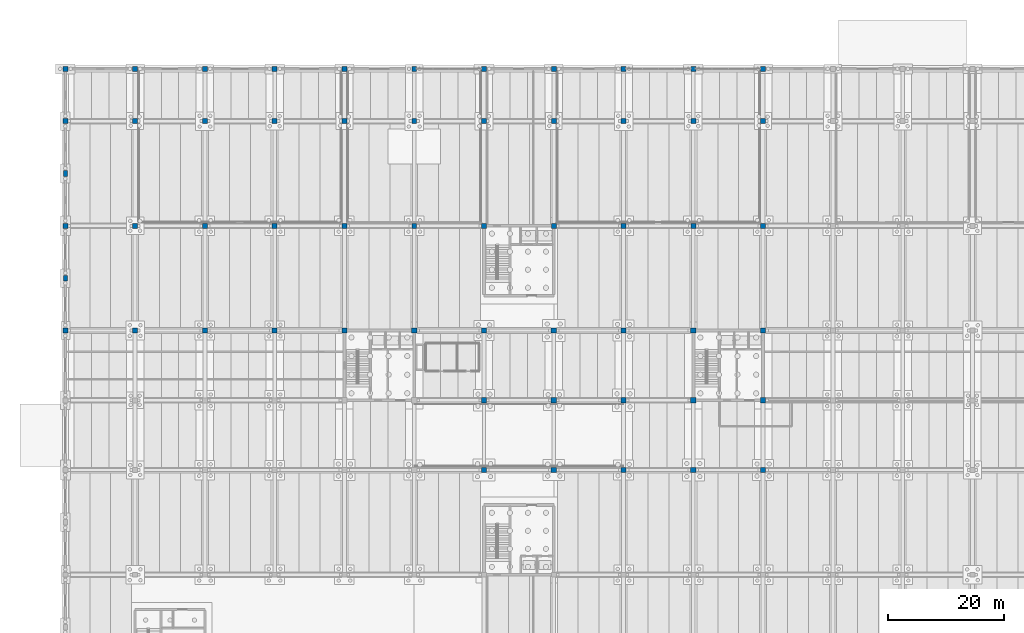
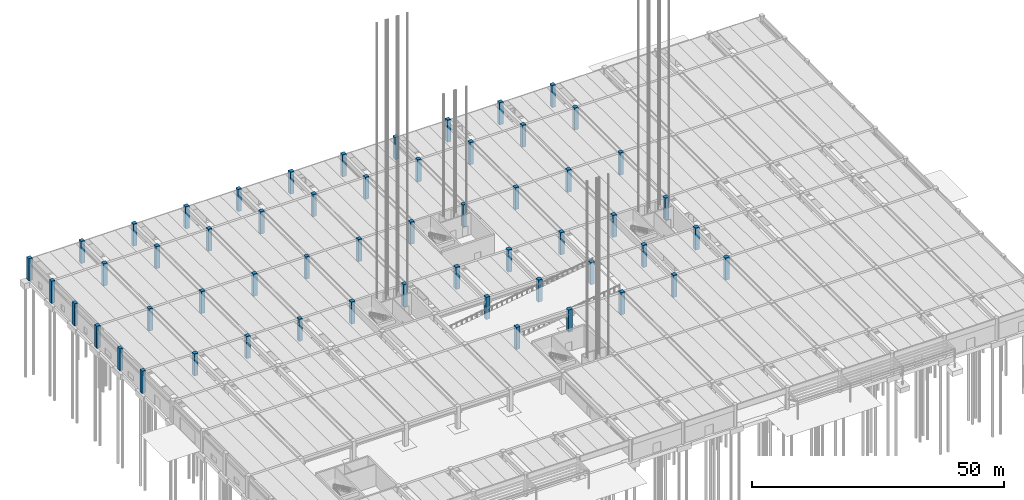
# One storey, part 10 of 59: 56 columns.
"""IFC4 building model written with IfcOpenShell, lengths in metres."""

from ifc_helpers import new_model, si_unit, direction, frame, origin, origin_2d, place, context, subcontext, project, spatial, rectangle, extrude, material, material_profile, profile_set, type_object, element, save


model = new_model("IFC4")

# Units and contexts
model_context = context("Model", 3, precision=1e-05, world=origin(), true_north=direction((0.0, 1.0)))
body_context = subcontext(model_context, "Body", "Model", "MODEL_VIEW")
ifc_project = project(units=[si_unit("LENGTHUNIT", "METRE"), si_unit("AREAUNIT", "SQUARE_METRE"), si_unit("VOLUMEUNIT", "CUBIC_METRE"), si_unit("PLANEANGLEUNIT", "RADIAN"), si_unit("MASSUNIT", "GRAM", prefix="KILO")], contexts=[model_context])

# Site, building, storey
site_placement = place(None, origin())
site = spatial("IfcSite", under=ifc_project, at=site_placement, CompositionType="ELEMENT")
building_placement = place(site_placement, origin())
building = spatial("IfcBuilding", under=site, at=building_placement, Name="Girod Span Mobility Hub", CompositionType="ELEMENT")
storey_placement = place(building_placement, origin())
storey = spatial("IfcBuildingStorey", under=building, at=storey_placement, Name="L00", CompositionType="ELEMENT", Elevation=0.0)

# Columns
ifc_material_1 = material(Name="Concrete C40/50", Category="concrete")
ifc_material_profile_1 = material_profile(ifc_material_1, rectangle(XDim=0.85009765625, YDim=0.85009765625, at=origin_2d()), Name="PC-COL-850X850")
ifc_profile_set_1 = profile_set([ifc_material_profile_1], Name="Concrete C40/50")
column_type_1 = type_object("IfcColumnType", Name="COL-PC-850X850", PredefinedType="COLUMN", material=ifc_profile_set_1)
for number, where, z_axis, x_axis, name in (
    (1, (0.0, 69.0, 0.0), (0.0, 0.0, 1.0), (1.0, 0.0, 0.0), "Column 1F L00"),
    (2, (0.0, 87.0, 0.0), (0.0, 0.0, 1.0), (1.0, 0.0, 0.0), "Column 1G L00"),
    (3, (0.0, 105.0, 0.0), (0.0, 0.0, 1.0), (1.0, 0.0, 0.0), "Column 1H L00"),
    (4, (0.0, 114.0, 0.0), (0.0, 0.0, 1.0), (1.0, 0.0, 0.0), "Column 1J L00"),
    (5, (12.0, 69.0, 0.0), (0.0, 0.0, 1.0), (1.0, 0.0, 0.0), "Column 2F L00"),
    (6, (12.0, 87.0, 0.0), (0.0, 0.0, 1.0), (1.0, 0.0, 0.0), "Column 2G L00"),
    (7, (12.0, 105.0, 0.0), (0.0, 0.0, 1.0), (1.0, 0.0, 0.0), "Column 2H L00"),
    (8, (12.0, 114.0, 0.0), (0.0, 0.0, 1.0), (1.0, 0.0, 0.0), "Column 2J L00"),
    (9, (24.0, 69.0, 0.0), (0.0, 0.0, 1.0), (1.0, 0.0, 0.0), "Column 3F L00"),
    (10, (24.0, 87.0, 0.0), (0.0, 0.0, 1.0), (1.0, 0.0, 0.0), "Column 3G L00"),
    (11, (24.0, 105.0, 0.0), (0.0, 0.0, 1.0), (1.0, 0.0, 0.0), "Column 3H L00"),
    (12, (24.0, 114.0, 0.0), (0.0, 0.0, 1.0), (1.0, 0.0, 0.0), "Column 3J L00"),
    (13, (36.0, 69.0, 0.0), (0.0, 0.0, 1.0), (1.0, 0.0, 0.0), "Column 4F L00"),
    (14, (36.0, 87.0, 0.0), (0.0, 0.0, 1.0), (1.0, 0.0, 0.0), "Column 4G L00"),
    (15, (36.0, 105.0, 0.0), (0.0, 0.0, 1.0), (1.0, 0.0, 0.0), "Column 4H L00"),
    (16, (36.0, 114.0, 0.0), (0.0, 0.0, 1.0), (1.0, 0.0, 0.0), "Column 4J L00"),
    (17, (48.0, 87.0, 0.0), (0.0, 0.0, 1.0), (1.0, 0.0, 0.0), "Column 5G L00"),
    (18, (48.0, 105.0, 0.0), (0.0, 0.0, 1.0), (1.0, 0.0, 0.0), "Column 5H L00"),
    (19, (48.0, 114.0, 0.0), (0.0, 0.0, 1.0), (1.0, 0.0, 0.0), "Column 5J L00"),
    (20, (60.0, 87.0, 0.0), (0.0, 0.0, 1.0), (1.0, 0.0, 0.0), "Column 6G L00"),
    (21, (60.0, 105.0, 0.0), (0.0, 0.0, 1.0), (1.0, 0.0, 0.0), "Column 6H L00"),
    (22, (60.0, 114.0, 0.0), (0.0, 0.0, 1.0), (1.0, 0.0, 0.0), "Column 6J L00"),
    (23, (72.0, 87.0, 0.0), (0.0, 0.0, 1.0), (1.0, 0.0, 0.0), "Column 7G L00"),
    (24, (72.0, 105.0, 0.0), (0.0, 0.0, 1.0), (1.0, 0.0, 0.0), "Column 7H L00"),
    (25, (72.0, 114.0, 0.0), (0.0, 0.0, 1.0), (1.0, 0.0, 0.0), "Column 7J L00"),
    (26, (84.0, 87.0, 0.0), (0.0, 0.0, 1.0), (1.0, 0.0, 0.0), "Column 8G L00"),
    (27, (84.0, 105.0, 0.0), (0.0, 0.0, 1.0), (1.0, 0.0, 0.0), "Column 8H L00"),
    (28, (84.0, 114.0, 0.0), (0.0, 0.0, 1.0), (1.0, 0.0, 0.0), "Column 8J L00"),
    (29, (96.0, 87.0, 0.0), (0.0, 0.0, 1.0), (1.0, 0.0, 0.0), "Column 9G L00"),
    (30, (96.0, 105.0, 0.0), (0.0, 0.0, 1.0), (1.0, 0.0, 0.0), "Column 9H L00"),
    (31, (96.0, 114.0, 0.0), (0.0, 0.0, 1.0), (1.0, 0.0, 0.0), "Column 9J L00"),
    (32, (108.0, 87.0, 0.0), (0.0, 0.0, 1.0), (1.0, 0.0, 0.0), "Column 10G L00"),
    (33, (108.0, 105.0, 0.0), (0.0, 0.0, 1.0), (1.0, 0.0, 0.0), "Column 10H L00"),
    (34, (108.0, 114.0, 0.0), (0.0, 0.0, 1.0), (1.0, 0.0, 0.0), "Column 10J L00"),
    (35, (120.0, 87.0, 0.0), (0.0, 0.0, 1.0), (1.0, 0.0, 0.0), "Column 11G L00"),
    (36, (120.0, 105.0, 0.0), (0.0, 0.0, 1.0), (1.0, 0.0, 0.0), "Column 11H L00"),
    (37, (120.0, 114.0, 0.0), (0.0, 0.0, 1.0), (1.0, 0.0, 0.0), "Column 11J L00"),
):
    element("IfcColumn", number, at=place(storey_placement, frame(where, z_axis=z_axis, x_axis=x_axis)), inside=storey, type_object=column_type_1, Name=name, PredefinedType="COLUMN", context=body_context, shape_type="SweptSolid", body=[
        extrude(rectangle(XDim=0.85009765625, YDim=0.85009765625, at=origin_2d()), origin(), (0.0, 0.0, 1.0), 5.39990234375),
    ])
ifc_material_2 = material(Name="Concrete C40/50", Category="concrete")
ifc_material_profile_2 = material_profile(ifc_material_2, rectangle(XDim=0.89990234375, YDim=0.89990234375, at=origin_2d()), Name="PC-COL-900X900")
ifc_profile_set_2 = profile_set([ifc_material_profile_2], Name="Concrete C40/50")
column_type_2 = type_object("IfcColumnType", Name="COL-PC-900X900", PredefinedType="COLUMN", material=ifc_profile_set_2)
for number, where, z_axis, x_axis, name in (
    (38, (48.0, 69.0, 0.0), (0.0, 0.0, 1.0), (1.0, 0.0, 0.0), "Column 5F L00"),
    (39, (60.0, 69.0, 0.0), (0.0, 0.0, 1.0), (1.0, 0.0, 0.0), "Column 6F L00"),
    (40, (72.0, 45.0, 0.0), (0.0, 0.0, 1.0), (1.0, 0.0, 0.0), "Column 7D L00"),
    (41, (72.0, 57.0, 0.0), (0.0, 0.0, 1.0), (1.0, 0.0, 0.0), "Column 7E L00"),
    (42, (72.0, 69.0, 0.0), (0.0, 0.0, 1.0), (1.0, 0.0, 0.0), "Column 7F L00"),
    (43, (84.0, 45.0, 0.0), (0.0, 0.0, 1.0), (1.0, 0.0, 0.0), "Column 8D L00"),
    (44, (84.0, 57.0, 0.0), (0.0, 0.0, 1.0), (1.0, 0.0, 0.0), "Column 8E L00"),
    (45, (84.0, 69.0, 0.0), (0.0, 0.0, 1.0), (1.0, 0.0, 0.0), "Column 8F L00"),
    (46, (96.0, 45.0, 0.0), (0.0, 0.0, 1.0), (1.0, 0.0, 0.0), "Column 9D L00"),
    (47, (96.0, 57.0, 0.0), (0.0, 0.0, 1.0), (1.0, 0.0, 0.0), "Column 9E L00"),
    (48, (96.0, 69.0, 0.0), (0.0, 0.0, 1.0), (1.0, 0.0, 0.0), "Column 9F L00"),
    (49, (108.0, 45.0, 0.0), (0.0, 0.0, 1.0), (1.0, 0.0, 0.0), "Column 10D L00"),
    (50, (108.0, 57.0, 0.0), (0.0, 0.0, 1.0), (1.0, 0.0, 0.0), "Column 10E L00"),
    (51, (108.0, 69.0, 0.0), (0.0, 0.0, 1.0), (1.0, 0.0, 0.0), "Column 10F L00"),
    (52, (120.0, 45.0, 0.0), (0.0, 0.0, 1.0), (1.0, 0.0, 0.0), "Column 11D L00"),
    (53, (120.0, 57.0, 0.0), (0.0, 0.0, 1.0), (1.0, 0.0, 0.0), "Column 11E L00"),
    (54, (120.0, 69.0, 0.0), (0.0, 0.0, 1.0), (1.0, 0.0, 0.0), "Column 11F L00"),
):
    element("IfcColumn", number, at=place(storey_placement, frame(where, z_axis=z_axis, x_axis=x_axis)), inside=storey, type_object=column_type_2, Name=name, PredefinedType="COLUMN", context=body_context, shape_type="SweptSolid", body=[
        extrude(rectangle(XDim=0.89990234375, YDim=0.89990234375, at=origin_2d()), origin(), (0.0, 0.0, 1.0), 5.39990234375),
    ])
ifc_material_3 = material(Name="Concrete C40/50", Category="concrete")
ifc_material_profile_3 = material_profile(ifc_material_3, rectangle(XDim=0.699951171875, YDim=0.949951171875, at=origin_2d()), Name="PC-PIL-700X950")
ifc_profile_set_3 = profile_set([ifc_material_profile_3], Name="Concrete C40/50")
column_type_3 = type_object("IfcColumnType", Name="PIL-PC-700X950", PredefinedType="PILASTER", material=ifc_profile_set_3)
for number, where, z_axis, x_axis, name in (
    (55, (0.0, 78.0, 0.0), (0.0, 0.0, 1.0), (1.0, 0.0, 0.0), "Precast Pilaster PIL-W-78 L00"),
    (56, (0.0, 96.0, 0.0), (0.0, 0.0, 1.0), (1.0, 0.0, 0.0), "Precast Pilaster PIL-W-96 L00"),
):
    element("IfcColumn", number, at=place(storey_placement, frame(where, z_axis=z_axis, x_axis=x_axis)), inside=storey, type_object=column_type_3, Name=name, PredefinedType="PILASTER", context=body_context, shape_type="SweptSolid", body=[
        extrude(rectangle(XDim=0.699951171875, YDim=0.949951171875, at=origin_2d()), origin(), (0.0, 0.0, 1.0), 5.39990234375),
    ])

save(model, "model.ifc")
